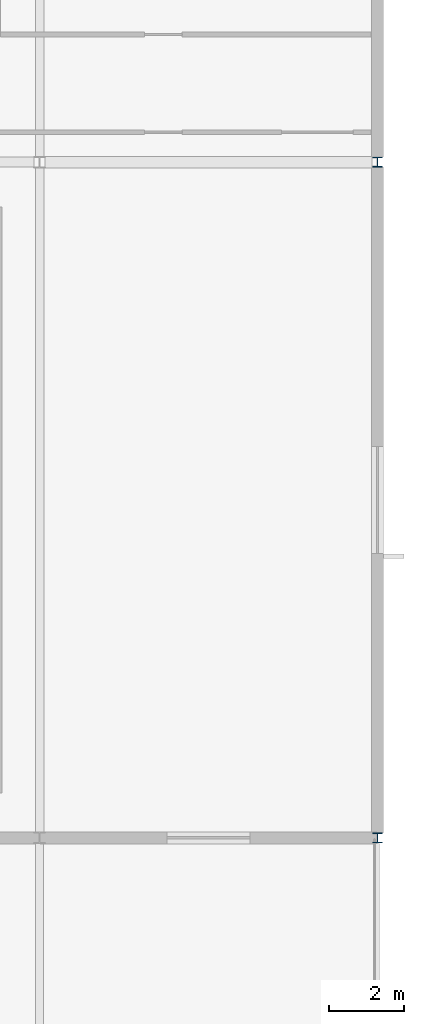
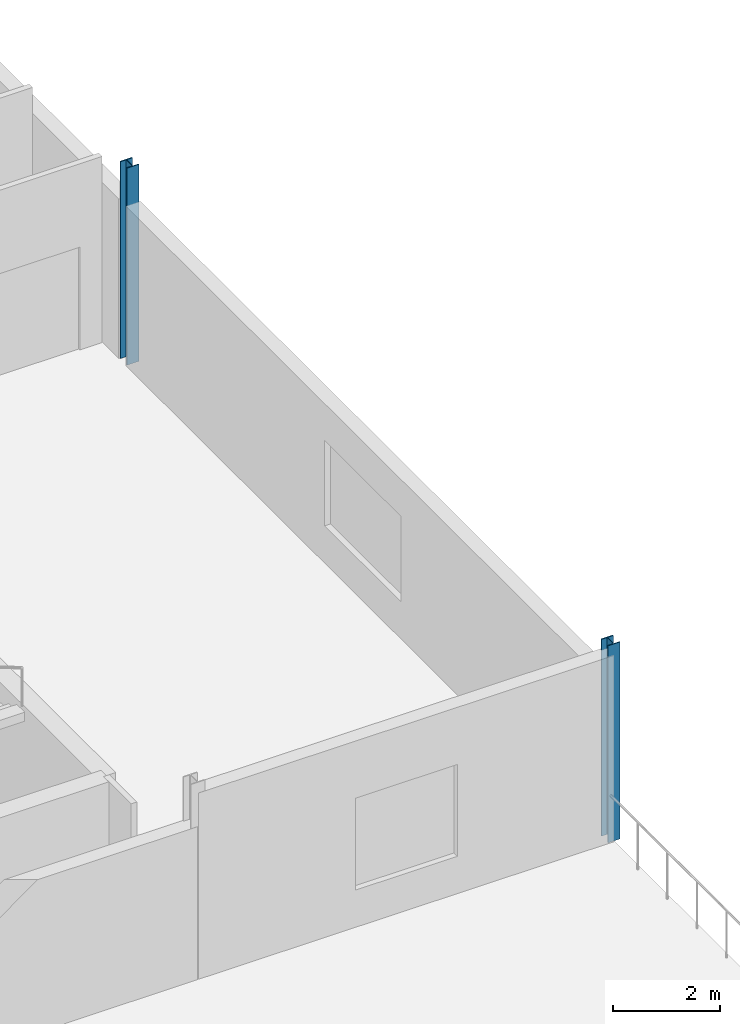
# One storey, part 6 of 28: 2 columns.
"""IFC4 building model written with IfcOpenShell, lengths in metres."""

import ifcopenshell
import ifcopenshell.guid

model = None  # the IFC model being written
_history = None  # IfcOwnerHistory: only IFC2X3 demands one
_inside = {}  # id of a spatial element -> (the spatial element, [elements in it])
_under = {}  # id of a project, library or spatial element -> (it, [spatial elements below it])
_declared = {}  # id of a project -> (the project, [libraries it declares])
_typed = {}  # id of a type object -> (the type object, [elements of that type])
_made_of = {}  # id of a material, layer set ... -> (it, [elements and type objects made of it])


def new_model(schema):
    """Start an empty IFC model of exactly this schema.

    Asked for "IFC4X3", IfcOpenShell would pick the latest addendum, in which some entities
    have other attributes; the version numbers below select the first issue.
    IFC2X3 requires an IfcOwnerHistory on every rooted entity: one is made here for all.
    """
    global model, _history
    if schema == "IFC4X3":
        model = ifcopenshell.file(schema_version=(4, 3, 0, 0))
    else:
        model = ifcopenshell.file(schema=schema)
    _inside.clear()
    _under.clear()
    _declared.clear()
    _typed.clear()
    _made_of.clear()
    _history = None
    if model.schema == "IFC2X3":
        org = make("IfcOrganization", Name="unknown")
        user = make(
            "IfcPersonAndOrganization",
            ThePerson=make("IfcPerson", FamilyName="unknown"),
            TheOrganization=org,
        )
        app = make(
            "IfcApplication",
            ApplicationDeveloper=org,
            Version="unknown",
            ApplicationFullName="unknown",
            ApplicationIdentifier="unknown",
        )
        _history = make(
            "IfcOwnerHistory",
            OwningUser=user,
            OwningApplication=app,
            ChangeAction="ADDED",
            CreationDate=0,
        )
    return model


def make(cls, **values):
    """One entity of the class cls with the attributes given. An attribute that is None is left unset."""
    return model.create_entity(
        cls, **{name: value for name, value in values.items() if value is not None}
    )


def rooted(cls, **values):
    """An entity with a GlobalId (a new one), such as an element, a storey or a relation."""
    return make(cls, GlobalId=ifcopenshell.guid.new(), OwnerHistory=_history, **values)


def si_unit(unit_type, name, prefix=None):
    """IfcSIUnit, for example si_unit("LENGTHUNIT", "METRE", prefix="MILLI")."""
    return make("IfcSIUnit", UnitType=unit_type, Prefix=prefix, Name=name)


def assignment(units):
    """IfcUnitAssignment: the units of a project."""
    return None if units is None else make("IfcUnitAssignment", Units=units)


def point(xyz):
    """IfcCartesianPoint."""
    return None if xyz is None else make("IfcCartesianPoint", Coordinates=xyz)


def direction(xyz):
    """IfcDirection."""
    return None if xyz is None else make("IfcDirection", DirectionRatios=xyz)


def frame(location, z_axis=None, x_axis=None):
    """IfcAxis2Placement3D, a coordinate frame: its origin and axes. An axis left out is left unset."""
    return make(
        "IfcAxis2Placement3D",
        Location=point(location),
        Axis=direction(z_axis),
        RefDirection=direction(x_axis),
    )


def frame_2d(location, x_axis=None):
    """IfcAxis2Placement2D, a coordinate frame in the plane: its origin and x axis."""
    return make(
        "IfcAxis2Placement2D", Location=point(location), RefDirection=direction(x_axis)
    )


def origin():
    """The frame at (0, 0, 0) with its axes left unset."""
    return frame((0.0, 0.0, 0.0))


def origin_2d():
    """The frame at (0, 0) in the plane with its x axis left unset."""
    return frame_2d((0.0, 0.0))


def place(relative_to, where):
    """IfcLocalPlacement: puts the frame where relative to a parent placement (None: the world)."""
    return make(
        "IfcLocalPlacement", PlacementRelTo=relative_to, RelativePlacement=where
    )


def context(
    kind, dimensions, precision=None, world=None, true_north=None, identifier=None
):
    """IfcGeometricRepresentationContext, for example the 3D "Model" context."""
    return make(
        "IfcGeometricRepresentationContext",
        ContextIdentifier=identifier,
        ContextType=kind,
        CoordinateSpaceDimension=dimensions,
        Precision=precision,
        WorldCoordinateSystem=world,
        TrueNorth=true_north,
    )


def subcontext(parent, identifier, kind, view, scale=None):
    """IfcGeometricRepresentationSubContext, for example "Body" below "Model"."""
    return make(
        "IfcGeometricRepresentationSubContext",
        ContextIdentifier=identifier,
        ContextType=kind,
        ParentContext=parent,
        TargetScale=scale,
        TargetView=view,
    )


def project(units=None, contexts=None):
    """IfcProject with its units and contexts."""
    return rooted(
        "IfcProject",
        Name="project",
        RepresentationContexts=contexts,
        UnitsInContext=assignment(units),
    )


def spatial(cls, under=None, at=None, **own):
    """A site, building, storey or space (cls), placed at a placement, below another one or the project."""
    s = rooted(cls, ObjectPlacement=at, **own)
    if under is not None:
        _under.setdefault(under.id(), (under, []))[1].append(s)
    return s


def profile(cls, at=None, kind="AREA", **sizes):
    """A parametric profile (cls). Its sizes go by their IFC names, for example OverallWidth=200.0."""
    return make(cls, ProfileType=kind, Position=at, **sizes)


def i_section(**sizes):
    """IfcIShapeProfileDef."""
    return profile("IfcIShapeProfileDef", **sizes)


def extrude(swept, where, along, depth):
    """IfcExtrudedAreaSolid: the profile swept, set in the frame where, extruded along a direction by depth."""
    return make(
        "IfcExtrudedAreaSolid",
        SweptArea=swept,
        Position=where,
        ExtrudedDirection=direction(along),
        Depth=depth,
    )


def shape(context_of_items, identifier, shape_type, items):
    """IfcShapeRepresentation: the items that make up one representation, for example the "Body"."""
    return make(
        "IfcShapeRepresentation",
        ContextOfItems=context_of_items,
        RepresentationIdentifier=identifier,
        RepresentationType=shape_type,
        Items=items,
    )


def material(Name=None, Category=None):
    """IfcMaterial."""
    return make("IfcMaterial", Name=Name, Category=Category)


def material_profile(
    of_material, cross_section, Name=None, Category=None, Priority=None
):
    """IfcMaterialProfile: a cross section and its material."""
    return make(
        "IfcMaterialProfile",
        Name=Name,
        Material=of_material,
        Profile=cross_section,
        Priority=Priority,
        Category=Category,
    )


def profile_set(profiles, Name=None, composite=None):
    """IfcMaterialProfileSet."""
    return make(
        "IfcMaterialProfileSet",
        Name=Name,
        MaterialProfiles=profiles,
        CompositeProfile=composite,
    )


def made_of(thing, what):
    """Note that an element or type object is made of a material, layer set ...; save() writes the relation."""
    if what is not None:
        _made_of.setdefault(what.id(), (what, []))[1].append(thing)
    return thing


def type_object(cls, material=None, **own):
    """A type object (cls), such as IfcWallType, which elements share."""
    return made_of(rooted(cls, **own), material)


def element(
    cls,
    number,
    at=None,
    inside=None,
    cuts=None,
    type_object=None,
    material=None,
    context=None,
    identifier="Body",
    shape_type=None,
    held_by="IfcProductDefinitionShape",
    body=None,
    shapes=None,
    **own,
):
    """One element of the class cls, such as IfcWall. Its Tag is "e" and its number.

    at: its placement. inside: the storey or other place that contains it. cuts: it is an
    opening in that element (IfcRelVoidsElement). A single representation is given by context,
    identifier, shape_type and body (its items); several are given by shapes. held_by: the class
    of the entity that holds the representations. save() writes the other relations.
    """
    e = rooted(cls, Tag="e%d" % number, ObjectPlacement=at, **own)
    if body is not None:
        shapes = [shape(context, identifier, shape_type, body)]
    if shapes is not None:
        e.Representation = make(held_by, Representations=shapes)
    if inside is not None:
        _inside.setdefault(inside.id(), (inside, []))[1].append(e)
    if cuts is not None:
        rooted(
            "IfcRelVoidsElement", RelatingBuildingElement=cuts, RelatedOpeningElement=e
        )
    if type_object is not None:
        _typed.setdefault(type_object.id(), (type_object, []))[1].append(e)
    return made_of(e, material)


def aggregate(whole, parts):
    """IfcRelAggregates: a whole, such as a stair, and the parts it consists of."""
    return rooted("IfcRelAggregates", RelatingObject=whole, RelatedObjects=parts)


def save(model, path):
    """Write the relations noted so far, then the file.

    IfcRelAggregates (storeys below a building ...), IfcRelContainedInSpatialStructure (elements
    in a storey), IfcRelDefinesByType, IfcRelAssociatesMaterial and IfcRelDeclares: one each for
    every whole, place, type object, material and project.
    """
    for whole, parts in _under.values():
        aggregate(whole, parts)
    for where, things in _inside.values():
        rooted(
            "IfcRelContainedInSpatialStructure",
            RelatedElements=things,
            RelatingStructure=where,
        )
    for kind, things in _typed.values():
        rooted("IfcRelDefinesByType", RelatedObjects=things, RelatingType=kind)
    for what, things in _made_of.values():
        rooted("IfcRelAssociatesMaterial", RelatedObjects=things, RelatingMaterial=what)
    for by, libraries in _declared.values():
        rooted("IfcRelDeclares", RelatingContext=by, RelatedDefinitions=libraries)
    model.write(path)


model = new_model("IFC4")

# Units and contexts
model_context = context("Model", 3, precision=1e-05, world=origin(), true_north=direction((0.0, 1.0)))
body_context = subcontext(model_context, "Body", "Model", "MODEL_VIEW")
ifc_project = project(units=[si_unit("LENGTHUNIT", "METRE"), si_unit("AREAUNIT", "SQUARE_METRE"), si_unit("VOLUMEUNIT", "CUBIC_METRE"), si_unit("PLANEANGLEUNIT", "RADIAN"), si_unit("MASSUNIT", "GRAM", prefix="KILO")], contexts=[model_context])

# Site, building, storey
site_placement = place(None, origin())
site = spatial("IfcSite", under=ifc_project, at=site_placement, CompositionType="ELEMENT")
building_placement = place(site_placement, origin())
building = spatial("IfcBuilding", under=site, at=building_placement, Name="Kisiwana Market Hall", CompositionType="ELEMENT")
storey_placement = place(building_placement, frame((0.0, 0.0, 49.5)))
storey = spatial("IfcBuildingStorey", under=building, at=storey_placement, Name="L11", CompositionType="ELEMENT", Elevation=49.5)

# Columns
ifc_material = material(Name="Steel S355", Category="steel")
ifc_material_profile = material_profile(ifc_material, i_section(OverallWidth=0.2587890625, OverallDepth=0.2666015625, WebThickness=0.0126953125, FlangeThickness=0.0205078125, at=origin_2d()), Name="UC 254x254x107")
ifc_profile_set = profile_set([ifc_material_profile], Name="Steel S355")
column_type = type_object("IfcColumnType", Name="COL-STL-UC107", PredefinedType="COLUMN", material=ifc_profile_set)
for number, where, z_axis, x_axis, name in (
    (1, (198.0, 18.0, 0.0), (0.0, 0.0, 1.0), (1.0, 0.0, 0.0), "Column C/23 (L11) C-1353"),
    (2, (198.0, 36.0, 0.0), (0.0, 0.0, 1.0), (1.0, 0.0, 0.0), "Column E/23 (L11) C-1354"),
):
    element("IfcColumn", number, at=place(storey_placement, frame(where, z_axis=z_axis, x_axis=x_axis)), inside=storey, type_object=column_type, Name=name, PredefinedType="COLUMN", context=body_context, shape_type="SweptSolid", body=[
        extrude(i_section(OverallWidth=0.2587890625, OverallDepth=0.2666015625, WebThickness=0.0126953125, FlangeThickness=0.0205078125, at=origin_2d()), origin(), (0.0, 0.0, 1.0), 4.5),
    ])

save(model, "model.ifc")
